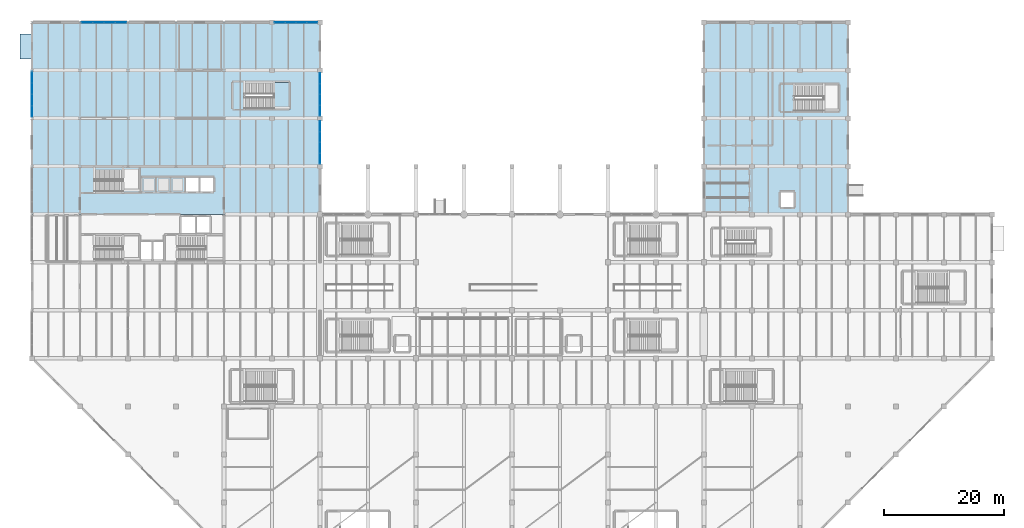
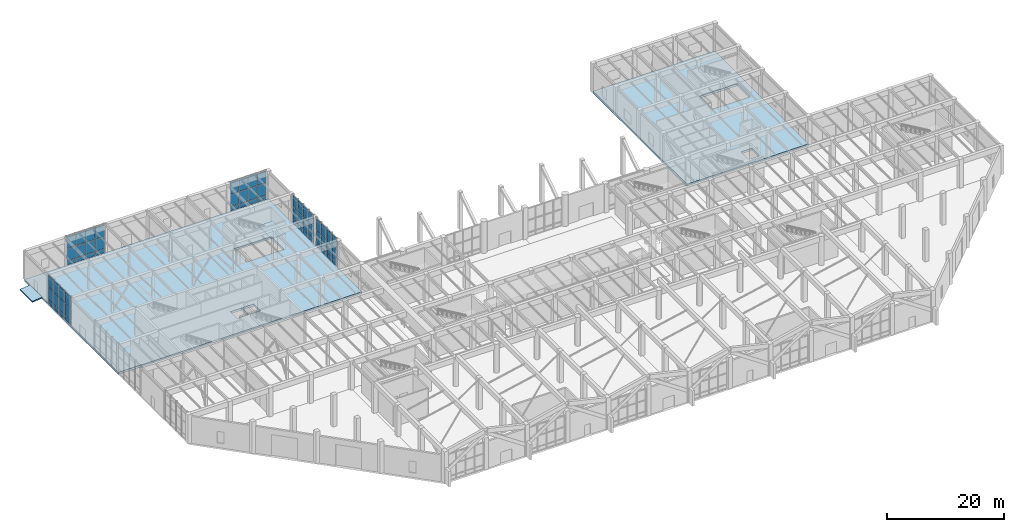
# One storey, part 29 of 51: 60 plates, 4 slabs, 6 elements without a shape of their own.
"""IFC4 building model written with IfcOpenShell, lengths in metres."""

from ifc_helpers import new_model, si_unit, direction, frame, origin, origin_2d, place, context, subcontext, project, spatial, polyline, rectangle, outline, extrude, material, layer, layer_set, type_object, element, aggregate, save


model = new_model("IFC4")

# Units and contexts
model_context = context("Model", 3, precision=1e-05, world=origin(), true_north=direction((0.0, 1.0)))
body_context = subcontext(model_context, "Body", "Model", "MODEL_VIEW")
ifc_project = project(units=[si_unit("LENGTHUNIT", "METRE"), si_unit("AREAUNIT", "SQUARE_METRE"), si_unit("VOLUMEUNIT", "CUBIC_METRE"), si_unit("PLANEANGLEUNIT", "RADIAN"), si_unit("MASSUNIT", "GRAM", prefix="KILO")], contexts=[model_context])

# Site, building, storey
site_placement = place(None, origin())
site = spatial("IfcSite", under=ifc_project, at=site_placement, CompositionType="ELEMENT")
building_placement = place(site_placement, origin())
building = spatial("IfcBuilding", under=site, at=building_placement, Name="Varnela Railside Interchange", CompositionType="ELEMENT")
storey_placement = place(building_placement, origin())
storey = spatial("IfcBuildingStorey", under=building, at=storey_placement, Name="L00", CompositionType="ELEMENT", Elevation=0.0)

# Curtain wall, plates
ifc_material_1 = material(Name="Aluminium 6063-T6", Category="aluminium")
ifc_layer_1 = layer(ifc_material_1, 0.035888671875)
ifc_layer_set_1 = layer_set([ifc_layer_1], Name="Aluminium 6063-T6")
curtain_wall_type = type_object("IfcCurtainWallType", Name="Operations Wing Facade Curtain Wall CW-03", PredefinedType="USERDEFINED", material=ifc_layer_set_1)
curtain_wall_1_placement = place(storey_placement, origin())
curtain_wall_1 = element("IfcCurtainWall", 1, at=curtain_wall_1_placement, inside=storey, type_object=curtain_wall_type, Name="Curtain Wall CW-03 (L00) (CW-001)", ObjectType="CURTAIN WALL", PredefinedType="USERDEFINED")
ifc_material_2 = material(Name="Glass laminated double", Category="glass")
ifc_layer_2 = layer(ifc_material_2, 0.0400390625)
ifc_layer_set_2 = layer_set([ifc_layer_2], Name="Glass laminated double")
plate_type = type_object("IfcPlateType", Name="Acoustic Laminated Vision GL-03", PredefinedType="CURTAIN_PANEL", material=ifc_layer_set_2)
plate_1_placement = place(storey_placement, frame((4.0, 79.16455078125, 0.06005859375), z_axis=(0.0, 0.0, 1.0), x_axis=(0.0, 1.0, 0.0)))
plate_1 = element("IfcPlate", 2, at=plate_1_placement, type_object=plate_type, Name="CW-03 panel 1.1", PredefinedType="CURTAIN_PANEL", context=body_context, shape_type="SweptSolid", body=[
    extrude(rectangle(XDim=1.810302734375, YDim=0.0400390625, at=origin_2d()), origin(), (0.0, 0.0, 1.0), 0.81005859375),
])
plate_2_placement = place(storey_placement, frame((4.0, 79.16455078125, 0.93017578125), z_axis=(0.0, 0.0, 1.0), x_axis=(0.0, 1.0, 0.0)))
plate_2 = element("IfcPlate", 3, at=plate_2_placement, type_object=plate_type, Name="CW-03 panel 1.2", PredefinedType="CURTAIN_PANEL", context=body_context, shape_type="SweptSolid", body=[
    extrude(rectangle(XDim=1.810302734375, YDim=0.0400390625, at=origin_2d()), origin(), (0.0, 0.0, 1.0), 2.531494140625),
])
plate_3_placement = place(storey_placement, frame((4.0, 79.16455078125, 3.521484375), z_axis=(0.0, 0.0, 1.0), x_axis=(0.0, 1.0, 0.0)))
plate_3 = element("IfcPlate", 4, at=plate_3_placement, type_object=plate_type, Name="CW-03 panel 1.3", PredefinedType="CURTAIN_PANEL", context=body_context, shape_type="SweptSolid", body=[
    extrude(rectangle(XDim=1.810302734375, YDim=0.0400390625, at=origin_2d()), origin(), (0.0, 0.0, 1.0), 2.4384765625),
])
plate_4_placement = place(storey_placement, frame((4.0, 81.0498046875, 0.06005859375), z_axis=(0.0, 0.0, 1.0), x_axis=(0.0, 1.0, 0.0)))
plate_4 = element("IfcPlate", 5, at=plate_4_placement, type_object=plate_type, Name="CW-03 panel 2.1", PredefinedType="CURTAIN_PANEL", context=body_context, shape_type="SweptSolid", body=[
    extrude(rectangle(XDim=1.84033203125, YDim=0.0400390625, at=origin_2d()), origin(), (0.0, 0.0, 1.0), 0.81005859375),
])
plate_5_placement = place(storey_placement, frame((4.0, 81.0498046875, 0.93017578125), z_axis=(0.0, 0.0, 1.0), x_axis=(0.0, 1.0, 0.0)))
plate_5 = element("IfcPlate", 6, at=plate_5_placement, type_object=plate_type, Name="CW-03 panel 2.2", PredefinedType="CURTAIN_PANEL", context=body_context, shape_type="SweptSolid", body=[
    extrude(rectangle(XDim=1.84033203125, YDim=0.0400390625, at=origin_2d()), origin(), (0.0, 0.0, 1.0), 2.531494140625),
])
plate_6_placement = place(storey_placement, frame((4.0, 81.0498046875, 3.521484375), z_axis=(0.0, 0.0, 1.0), x_axis=(0.0, 1.0, 0.0)))
plate_6 = element("IfcPlate", 7, at=plate_6_placement, type_object=plate_type, Name="CW-03 panel 2.3", PredefinedType="CURTAIN_PANEL", context=body_context, shape_type="SweptSolid", body=[
    extrude(rectangle(XDim=1.84033203125, YDim=0.0400390625, at=origin_2d()), origin(), (0.0, 0.0, 1.0), 2.4384765625),
])
plate_7_placement = place(storey_placement, frame((4.0, 82.9501953125, 0.06005859375), z_axis=(0.0, 0.0, 1.0), x_axis=(0.0, 1.0, 0.0)))
plate_7 = element("IfcPlate", 8, at=plate_7_placement, type_object=plate_type, Name="CW-03 panel 3.1", PredefinedType="CURTAIN_PANEL", context=body_context, shape_type="SweptSolid", body=[
    extrude(rectangle(XDim=1.84033203125, YDim=0.0400390625, at=origin_2d()), origin(), (0.0, 0.0, 1.0), 0.81005859375),
])
plate_8_placement = place(storey_placement, frame((4.0, 82.9501953125, 0.93017578125), z_axis=(0.0, 0.0, 1.0), x_axis=(0.0, 1.0, 0.0)))
plate_8 = element("IfcPlate", 9, at=plate_8_placement, type_object=plate_type, Name="CW-03 panel 3.2", PredefinedType="CURTAIN_PANEL", context=body_context, shape_type="SweptSolid", body=[
    extrude(rectangle(XDim=1.84033203125, YDim=0.0400390625, at=origin_2d()), origin(), (0.0, 0.0, 1.0), 2.531494140625),
])
plate_9_placement = place(storey_placement, frame((4.0, 82.9501953125, 3.521484375), z_axis=(0.0, 0.0, 1.0), x_axis=(0.0, 1.0, 0.0)))
plate_9 = element("IfcPlate", 10, at=plate_9_placement, type_object=plate_type, Name="CW-03 panel 3.3", PredefinedType="CURTAIN_PANEL", context=body_context, shape_type="SweptSolid", body=[
    extrude(rectangle(XDim=1.84033203125, YDim=0.0400390625, at=origin_2d()), origin(), (0.0, 0.0, 1.0), 2.4384765625),
])
plate_10_placement = place(storey_placement, frame((4.0, 84.83544921875, 0.06005859375), z_axis=(0.0, 0.0, 1.0), x_axis=(0.0, 1.0, 0.0)))
plate_10 = element("IfcPlate", 11, at=plate_10_placement, type_object=plate_type, Name="CW-03 panel 4.1", PredefinedType="CURTAIN_PANEL", context=body_context, shape_type="SweptSolid", body=[
    extrude(rectangle(XDim=1.810302734375, YDim=0.0400390625, at=origin_2d()), origin(), (0.0, 0.0, 1.0), 0.81005859375),
])
plate_11_placement = place(storey_placement, frame((4.0, 84.83544921875, 0.93017578125), z_axis=(0.0, 0.0, 1.0), x_axis=(0.0, 1.0, 0.0)))
plate_11 = element("IfcPlate", 12, at=plate_11_placement, type_object=plate_type, Name="CW-03 panel 4.2", PredefinedType="CURTAIN_PANEL", context=body_context, shape_type="SweptSolid", body=[
    extrude(rectangle(XDim=1.810302734375, YDim=0.0400390625, at=origin_2d()), origin(), (0.0, 0.0, 1.0), 2.531494140625),
])
plate_12_placement = place(storey_placement, frame((4.0, 84.83544921875, 3.521484375), z_axis=(0.0, 0.0, 1.0), x_axis=(0.0, 1.0, 0.0)))
plate_12 = element("IfcPlate", 13, at=plate_12_placement, type_object=plate_type, Name="CW-03 panel 4.3", PredefinedType="CURTAIN_PANEL", context=body_context, shape_type="SweptSolid", body=[
    extrude(rectangle(XDim=1.810302734375, YDim=0.0400390625, at=origin_2d()), origin(), (0.0, 0.0, 1.0), 2.4384765625),
])
aggregate(curtain_wall_1, [plate_1, plate_2, plate_3, plate_4, plate_5, plate_6, plate_7, plate_8, plate_9, plate_10, plate_11, plate_12])

curtain_wall_2_placement = place(storey_placement, origin())
curtain_wall_2 = element("IfcCurtainWall", 14, at=curtain_wall_2_placement, inside=storey, type_object=curtain_wall_type, Name="Curtain Wall CW-03 (L00) (CW-002)", ObjectType="CURTAIN WALL", PredefinedType="USERDEFINED")
plate_13_placement = place(storey_placement, frame((13.165283203125, 94.0, 0.06005859375), z_axis=(0.0, 0.0, 1.0), x_axis=(1.0, 0.0, 0.0)))
plate_13 = element("IfcPlate", 15, at=plate_13_placement, type_object=plate_type, Name="CW-03 panel 1.1", PredefinedType="CURTAIN_PANEL", context=body_context, shape_type="SweptSolid", body=[
    extrude(rectangle(XDim=1.809814453125, YDim=0.0400390625, at=origin_2d()), origin(), (0.0, 0.0, 1.0), 0.81005859375),
])
plate_14_placement = place(storey_placement, frame((13.165283203125, 94.0, 0.93017578125), z_axis=(0.0, 0.0, 1.0), x_axis=(1.0, 0.0, 0.0)))
plate_14 = element("IfcPlate", 16, at=plate_14_placement, type_object=plate_type, Name="CW-03 panel 1.2", PredefinedType="CURTAIN_PANEL", context=body_context, shape_type="SweptSolid", body=[
    extrude(rectangle(XDim=1.809814453125, YDim=0.0400390625, at=origin_2d()), origin(), (0.0, 0.0, 1.0), 2.531494140625),
])
plate_15_placement = place(storey_placement, frame((13.165283203125, 94.0, 3.521484375), z_axis=(0.0, 0.0, 1.0), x_axis=(1.0, 0.0, 0.0)))
plate_15 = element("IfcPlate", 17, at=plate_15_placement, type_object=plate_type, Name="CW-03 panel 1.3", PredefinedType="CURTAIN_PANEL", context=body_context, shape_type="SweptSolid", body=[
    extrude(rectangle(XDim=1.809814453125, YDim=0.0400390625, at=origin_2d()), origin(), (0.0, 0.0, 1.0), 2.4384765625),
])
plate_16_placement = place(storey_placement, frame((15.050048828125, 94.0, 0.06005859375), z_axis=(0.0, 0.0, 1.0), x_axis=(1.0, 0.0, 0.0)))
plate_16 = element("IfcPlate", 18, at=plate_16_placement, type_object=plate_type, Name="CW-03 panel 2.1", PredefinedType="CURTAIN_PANEL", context=body_context, shape_type="SweptSolid", body=[
    extrude(rectangle(XDim=1.83984375, YDim=0.0400390625, at=origin_2d()), origin(), (0.0, 0.0, 1.0), 0.81005859375),
])
plate_17_placement = place(storey_placement, frame((15.050048828125, 94.0, 0.93017578125), z_axis=(0.0, 0.0, 1.0), x_axis=(1.0, 0.0, 0.0)))
plate_17 = element("IfcPlate", 19, at=plate_17_placement, type_object=plate_type, Name="CW-03 panel 2.2", PredefinedType="CURTAIN_PANEL", context=body_context, shape_type="SweptSolid", body=[
    extrude(rectangle(XDim=1.83984375, YDim=0.0400390625, at=origin_2d()), origin(), (0.0, 0.0, 1.0), 2.531494140625),
])
plate_18_placement = place(storey_placement, frame((15.050048828125, 94.0, 3.521484375), z_axis=(0.0, 0.0, 1.0), x_axis=(1.0, 0.0, 0.0)))
plate_18 = element("IfcPlate", 20, at=plate_18_placement, type_object=plate_type, Name="CW-03 panel 2.3", PredefinedType="CURTAIN_PANEL", context=body_context, shape_type="SweptSolid", body=[
    extrude(rectangle(XDim=1.83984375, YDim=0.0400390625, at=origin_2d()), origin(), (0.0, 0.0, 1.0), 2.4384765625),
])
plate_19_placement = place(storey_placement, frame((16.949951171875, 94.0, 0.06005859375), z_axis=(0.0, 0.0, 1.0), x_axis=(1.0, 0.0, 0.0)))
plate_19 = element("IfcPlate", 21, at=plate_19_placement, type_object=plate_type, Name="CW-03 panel 3.1", PredefinedType="CURTAIN_PANEL", context=body_context, shape_type="SweptSolid", body=[
    extrude(rectangle(XDim=1.83984375, YDim=0.0400390625, at=origin_2d()), origin(), (0.0, 0.0, 1.0), 0.81005859375),
])
plate_20_placement = place(storey_placement, frame((16.949951171875, 94.0, 0.93017578125), z_axis=(0.0, 0.0, 1.0), x_axis=(1.0, 0.0, 0.0)))
plate_20 = element("IfcPlate", 22, at=plate_20_placement, type_object=plate_type, Name="CW-03 panel 3.2", PredefinedType="CURTAIN_PANEL", context=body_context, shape_type="SweptSolid", body=[
    extrude(rectangle(XDim=1.83984375, YDim=0.0400390625, at=origin_2d()), origin(), (0.0, 0.0, 1.0), 2.531494140625),
])
plate_21_placement = place(storey_placement, frame((16.949951171875, 94.0, 3.521484375), z_axis=(0.0, 0.0, 1.0), x_axis=(1.0, 0.0, 0.0)))
plate_21 = element("IfcPlate", 23, at=plate_21_placement, type_object=plate_type, Name="CW-03 panel 3.3", PredefinedType="CURTAIN_PANEL", context=body_context, shape_type="SweptSolid", body=[
    extrude(rectangle(XDim=1.83984375, YDim=0.0400390625, at=origin_2d()), origin(), (0.0, 0.0, 1.0), 2.4384765625),
])
plate_22_placement = place(storey_placement, frame((18.834716796875, 94.0, 0.06005859375), z_axis=(0.0, 0.0, 1.0), x_axis=(1.0, 0.0, 0.0)))
plate_22 = element("IfcPlate", 24, at=plate_22_placement, type_object=plate_type, Name="CW-03 panel 4.1", PredefinedType="CURTAIN_PANEL", context=body_context, shape_type="SweptSolid", body=[
    extrude(rectangle(XDim=1.809814453125, YDim=0.0400390625, at=origin_2d()), origin(), (0.0, 0.0, 1.0), 0.81005859375),
])
plate_23_placement = place(storey_placement, frame((18.834716796875, 94.0, 0.93017578125), z_axis=(0.0, 0.0, 1.0), x_axis=(1.0, 0.0, 0.0)))
plate_23 = element("IfcPlate", 25, at=plate_23_placement, type_object=plate_type, Name="CW-03 panel 4.2", PredefinedType="CURTAIN_PANEL", context=body_context, shape_type="SweptSolid", body=[
    extrude(rectangle(XDim=1.809814453125, YDim=0.0400390625, at=origin_2d()), origin(), (0.0, 0.0, 1.0), 2.531494140625),
])
plate_24_placement = place(storey_placement, frame((18.834716796875, 94.0, 3.521484375), z_axis=(0.0, 0.0, 1.0), x_axis=(1.0, 0.0, 0.0)))
plate_24 = element("IfcPlate", 26, at=plate_24_placement, type_object=plate_type, Name="CW-03 panel 4.3", PredefinedType="CURTAIN_PANEL", context=body_context, shape_type="SweptSolid", body=[
    extrude(rectangle(XDim=1.809814453125, YDim=0.0400390625, at=origin_2d()), origin(), (0.0, 0.0, 1.0), 2.4384765625),
])
aggregate(curtain_wall_2, [plate_13, plate_14, plate_15, plate_16, plate_17, plate_18, plate_19, plate_20, plate_21, plate_22, plate_23, plate_24])

curtain_wall_3_placement = place(storey_placement, origin())
curtain_wall_3 = element("IfcCurtainWall", 27, at=curtain_wall_3_placement, inside=storey, type_object=curtain_wall_type, Name="Curtain Wall CW-03 (L00) (CW-003)", ObjectType="CURTAIN WALL", PredefinedType="USERDEFINED")
plate_25_placement = place(storey_placement, frame((45.31494140625, 94.0, 0.06005859375), z_axis=(0.0, 0.0, 1.0), x_axis=(1.0, 0.0, 0.0)))
plate_25 = element("IfcPlate", 28, at=plate_25_placement, type_object=plate_type, Name="CW-03 panel 1.1", PredefinedType="CURTAIN_PANEL", context=body_context, shape_type="SweptSolid", body=[
    extrude(rectangle(XDim=1.7099609375, YDim=0.0400390625, at=origin_2d()), origin(), (0.0, 0.0, 1.0), 0.81005859375),
])
plate_26_placement = place(storey_placement, frame((45.31494140625, 94.0, 0.93017578125), z_axis=(0.0, 0.0, 1.0), x_axis=(1.0, 0.0, 0.0)))
plate_26 = element("IfcPlate", 29, at=plate_26_placement, type_object=plate_type, Name="CW-03 panel 1.2", PredefinedType="CURTAIN_PANEL", context=body_context, shape_type="SweptSolid", body=[
    extrude(rectangle(XDim=1.7099609375, YDim=0.0400390625, at=origin_2d()), origin(), (0.0, 0.0, 1.0), 2.531494140625),
])
plate_27_placement = place(storey_placement, frame((45.31494140625, 94.0, 3.521484375), z_axis=(0.0, 0.0, 1.0), x_axis=(1.0, 0.0, 0.0)))
plate_27 = element("IfcPlate", 30, at=plate_27_placement, type_object=plate_type, Name="CW-03 panel 1.3", PredefinedType="CURTAIN_PANEL", context=body_context, shape_type="SweptSolid", body=[
    extrude(rectangle(XDim=1.7099609375, YDim=0.0400390625, at=origin_2d()), origin(), (0.0, 0.0, 1.0), 2.4384765625),
])
plate_28_placement = place(storey_placement, frame((47.10009765625, 94.0, 0.06005859375), z_axis=(0.0, 0.0, 1.0), x_axis=(1.0, 0.0, 0.0)))
plate_28 = element("IfcPlate", 31, at=plate_28_placement, type_object=plate_type, Name="CW-03 panel 2.1", PredefinedType="CURTAIN_PANEL", context=body_context, shape_type="SweptSolid", body=[
    extrude(rectangle(XDim=1.739990234375, YDim=0.0400390625, at=origin_2d()), origin(), (0.0, 0.0, 1.0), 0.81005859375),
])
plate_29_placement = place(storey_placement, frame((47.10009765625, 94.0, 0.93017578125), z_axis=(0.0, 0.0, 1.0), x_axis=(1.0, 0.0, 0.0)))
plate_29 = element("IfcPlate", 32, at=plate_29_placement, type_object=plate_type, Name="CW-03 panel 2.2", PredefinedType="CURTAIN_PANEL", context=body_context, shape_type="SweptSolid", body=[
    extrude(rectangle(XDim=1.739990234375, YDim=0.0400390625, at=origin_2d()), origin(), (0.0, 0.0, 1.0), 2.531494140625),
])
plate_30_placement = place(storey_placement, frame((47.10009765625, 94.0, 3.521484375), z_axis=(0.0, 0.0, 1.0), x_axis=(1.0, 0.0, 0.0)))
plate_30 = element("IfcPlate", 33, at=plate_30_placement, type_object=plate_type, Name="CW-03 panel 2.3", PredefinedType="CURTAIN_PANEL", context=body_context, shape_type="SweptSolid", body=[
    extrude(rectangle(XDim=1.739990234375, YDim=0.0400390625, at=origin_2d()), origin(), (0.0, 0.0, 1.0), 2.4384765625),
])
plate_31_placement = place(storey_placement, frame((48.89990234375, 94.0, 0.06005859375), z_axis=(0.0, 0.0, 1.0), x_axis=(1.0, 0.0, 0.0)))
plate_31 = element("IfcPlate", 34, at=plate_31_placement, type_object=plate_type, Name="CW-03 panel 3.1", PredefinedType="CURTAIN_PANEL", context=body_context, shape_type="SweptSolid", body=[
    extrude(rectangle(XDim=1.739990234375, YDim=0.0400390625, at=origin_2d()), origin(), (0.0, 0.0, 1.0), 0.81005859375),
])
plate_32_placement = place(storey_placement, frame((48.89990234375, 94.0, 0.93017578125), z_axis=(0.0, 0.0, 1.0), x_axis=(1.0, 0.0, 0.0)))
plate_32 = element("IfcPlate", 35, at=plate_32_placement, type_object=plate_type, Name="CW-03 panel 3.2", PredefinedType="CURTAIN_PANEL", context=body_context, shape_type="SweptSolid", body=[
    extrude(rectangle(XDim=1.739990234375, YDim=0.0400390625, at=origin_2d()), origin(), (0.0, 0.0, 1.0), 2.531494140625),
])
plate_33_placement = place(storey_placement, frame((48.89990234375, 94.0, 3.521484375), z_axis=(0.0, 0.0, 1.0), x_axis=(1.0, 0.0, 0.0)))
plate_33 = element("IfcPlate", 36, at=plate_33_placement, type_object=plate_type, Name="CW-03 panel 3.3", PredefinedType="CURTAIN_PANEL", context=body_context, shape_type="SweptSolid", body=[
    extrude(rectangle(XDim=1.739990234375, YDim=0.0400390625, at=origin_2d()), origin(), (0.0, 0.0, 1.0), 2.4384765625),
])
plate_34_placement = place(storey_placement, frame((50.68505859375, 94.0, 0.06005859375), z_axis=(0.0, 0.0, 1.0), x_axis=(1.0, 0.0, 0.0)))
plate_34 = element("IfcPlate", 37, at=plate_34_placement, type_object=plate_type, Name="CW-03 panel 4.1", PredefinedType="CURTAIN_PANEL", context=body_context, shape_type="SweptSolid", body=[
    extrude(rectangle(XDim=1.7099609375, YDim=0.0400390625, at=origin_2d()), origin(), (0.0, 0.0, 1.0), 0.81005859375),
])
plate_35_placement = place(storey_placement, frame((50.68505859375, 94.0, 0.93017578125), z_axis=(0.0, 0.0, 1.0), x_axis=(1.0, 0.0, 0.0)))
plate_35 = element("IfcPlate", 38, at=plate_35_placement, type_object=plate_type, Name="CW-03 panel 4.2", PredefinedType="CURTAIN_PANEL", context=body_context, shape_type="SweptSolid", body=[
    extrude(rectangle(XDim=1.7099609375, YDim=0.0400390625, at=origin_2d()), origin(), (0.0, 0.0, 1.0), 2.531494140625),
])
plate_36_placement = place(storey_placement, frame((50.68505859375, 94.0, 3.521484375), z_axis=(0.0, 0.0, 1.0), x_axis=(1.0, 0.0, 0.0)))
plate_36 = element("IfcPlate", 39, at=plate_36_placement, type_object=plate_type, Name="CW-03 panel 4.3", PredefinedType="CURTAIN_PANEL", context=body_context, shape_type="SweptSolid", body=[
    extrude(rectangle(XDim=1.7099609375, YDim=0.0400390625, at=origin_2d()), origin(), (0.0, 0.0, 1.0), 2.4384765625),
])
aggregate(curtain_wall_3, [plate_25, plate_26, plate_27, plate_28, plate_29, plate_30, plate_31, plate_32, plate_33, plate_34, plate_35, plate_36])

curtain_wall_4_placement = place(storey_placement, origin())
curtain_wall_4 = element("IfcCurtainWall", 40, at=curtain_wall_4_placement, inside=storey, type_object=curtain_wall_type, Name="Curtain Wall CW-03 (L00) (CW-004)", ObjectType="CURTAIN WALL", PredefinedType="USERDEFINED")
plate_37_placement = place(storey_placement, frame((52.0, 84.68505859375, 0.06005859375), z_axis=(0.0, 0.0, 1.0), x_axis=(0.0, -1.0, 0.0)))
plate_37 = element("IfcPlate", 41, at=plate_37_placement, type_object=plate_type, Name="CW-03 panel 1.1", PredefinedType="CURTAIN_PANEL", context=body_context, shape_type="SweptSolid", body=[
    extrude(rectangle(XDim=1.7099609375, YDim=0.0400390625, at=origin_2d()), origin(), (0.0, 0.0, 1.0), 0.81005859375),
])
plate_38_placement = place(storey_placement, frame((52.0, 84.68505859375, 0.93017578125), z_axis=(0.0, 0.0, 1.0), x_axis=(0.0, -1.0, 0.0)))
plate_38 = element("IfcPlate", 42, at=plate_38_placement, type_object=plate_type, Name="CW-03 panel 1.2", PredefinedType="CURTAIN_PANEL", context=body_context, shape_type="SweptSolid", body=[
    extrude(rectangle(XDim=1.7099609375, YDim=0.0400390625, at=origin_2d()), origin(), (0.0, 0.0, 1.0), 2.531494140625),
])
plate_39_placement = place(storey_placement, frame((52.0, 84.68505859375, 3.521484375), z_axis=(0.0, 0.0, 1.0), x_axis=(0.0, -1.0, 0.0)))
plate_39 = element("IfcPlate", 43, at=plate_39_placement, type_object=plate_type, Name="CW-03 panel 1.3", PredefinedType="CURTAIN_PANEL", context=body_context, shape_type="SweptSolid", body=[
    extrude(rectangle(XDim=1.7099609375, YDim=0.0400390625, at=origin_2d()), origin(), (0.0, 0.0, 1.0), 2.4384765625),
])
plate_40_placement = place(storey_placement, frame((52.0, 82.89990234375, 0.06005859375), z_axis=(0.0, 0.0, 1.0), x_axis=(0.0, -1.0, 0.0)))
plate_40 = element("IfcPlate", 44, at=plate_40_placement, type_object=plate_type, Name="CW-03 panel 2.1", PredefinedType="CURTAIN_PANEL", context=body_context, shape_type="SweptSolid", body=[
    extrude(rectangle(XDim=1.739990234375, YDim=0.0400390625, at=origin_2d()), origin(), (0.0, 0.0, 1.0), 0.81005859375),
])
plate_41_placement = place(storey_placement, frame((52.0, 82.89990234375, 0.93017578125), z_axis=(0.0, 0.0, 1.0), x_axis=(0.0, -1.0, 0.0)))
plate_41 = element("IfcPlate", 45, at=plate_41_placement, type_object=plate_type, Name="CW-03 panel 2.2", PredefinedType="CURTAIN_PANEL", context=body_context, shape_type="SweptSolid", body=[
    extrude(rectangle(XDim=1.739990234375, YDim=0.0400390625, at=origin_2d()), origin(), (0.0, 0.0, 1.0), 2.531494140625),
])
plate_42_placement = place(storey_placement, frame((52.0, 82.89990234375, 3.521484375), z_axis=(0.0, 0.0, 1.0), x_axis=(0.0, -1.0, 0.0)))
plate_42 = element("IfcPlate", 46, at=plate_42_placement, type_object=plate_type, Name="CW-03 panel 2.3", PredefinedType="CURTAIN_PANEL", context=body_context, shape_type="SweptSolid", body=[
    extrude(rectangle(XDim=1.739990234375, YDim=0.0400390625, at=origin_2d()), origin(), (0.0, 0.0, 1.0), 2.4384765625),
])
plate_43_placement = place(storey_placement, frame((52.0, 81.10009765625, 0.06005859375), z_axis=(0.0, 0.0, 1.0), x_axis=(0.0, -1.0, 0.0)))
plate_43 = element("IfcPlate", 47, at=plate_43_placement, type_object=plate_type, Name="CW-03 panel 3.1", PredefinedType="CURTAIN_PANEL", context=body_context, shape_type="SweptSolid", body=[
    extrude(rectangle(XDim=1.739990234375, YDim=0.0400390625, at=origin_2d()), origin(), (0.0, 0.0, 1.0), 0.81005859375),
])
plate_44_placement = place(storey_placement, frame((52.0, 81.10009765625, 0.93017578125), z_axis=(0.0, 0.0, 1.0), x_axis=(0.0, -1.0, 0.0)))
plate_44 = element("IfcPlate", 48, at=plate_44_placement, type_object=plate_type, Name="CW-03 panel 3.2", PredefinedType="CURTAIN_PANEL", context=body_context, shape_type="SweptSolid", body=[
    extrude(rectangle(XDim=1.739990234375, YDim=0.0400390625, at=origin_2d()), origin(), (0.0, 0.0, 1.0), 2.531494140625),
])
plate_45_placement = place(storey_placement, frame((52.0, 81.10009765625, 3.521484375), z_axis=(0.0, 0.0, 1.0), x_axis=(0.0, -1.0, 0.0)))
plate_45 = element("IfcPlate", 49, at=plate_45_placement, type_object=plate_type, Name="CW-03 panel 3.3", PredefinedType="CURTAIN_PANEL", context=body_context, shape_type="SweptSolid", body=[
    extrude(rectangle(XDim=1.739990234375, YDim=0.0400390625, at=origin_2d()), origin(), (0.0, 0.0, 1.0), 2.4384765625),
])
plate_46_placement = place(storey_placement, frame((52.0, 79.31494140625, 0.06005859375), z_axis=(0.0, 0.0, 1.0), x_axis=(0.0, -1.0, 0.0)))
plate_46 = element("IfcPlate", 50, at=plate_46_placement, type_object=plate_type, Name="CW-03 panel 4.1", PredefinedType="CURTAIN_PANEL", context=body_context, shape_type="SweptSolid", body=[
    extrude(rectangle(XDim=1.7099609375, YDim=0.0400390625, at=origin_2d()), origin(), (0.0, 0.0, 1.0), 0.81005859375),
])
plate_47_placement = place(storey_placement, frame((52.0, 79.31494140625, 0.93017578125), z_axis=(0.0, 0.0, 1.0), x_axis=(0.0, -1.0, 0.0)))
plate_47 = element("IfcPlate", 51, at=plate_47_placement, type_object=plate_type, Name="CW-03 panel 4.2", PredefinedType="CURTAIN_PANEL", context=body_context, shape_type="SweptSolid", body=[
    extrude(rectangle(XDim=1.7099609375, YDim=0.0400390625, at=origin_2d()), origin(), (0.0, 0.0, 1.0), 2.531494140625),
])
plate_48_placement = place(storey_placement, frame((52.0, 79.31494140625, 3.521484375), z_axis=(0.0, 0.0, 1.0), x_axis=(0.0, -1.0, 0.0)))
plate_48 = element("IfcPlate", 52, at=plate_48_placement, type_object=plate_type, Name="CW-03 panel 4.3", PredefinedType="CURTAIN_PANEL", context=body_context, shape_type="SweptSolid", body=[
    extrude(rectangle(XDim=1.7099609375, YDim=0.0400390625, at=origin_2d()), origin(), (0.0, 0.0, 1.0), 2.4384765625),
])
aggregate(curtain_wall_4, [plate_37, plate_38, plate_39, plate_40, plate_41, plate_42, plate_43, plate_44, plate_45, plate_46, plate_47, plate_48])

curtain_wall_5_placement = place(storey_placement, origin())
curtain_wall_5 = element("IfcCurtainWall", 53, at=curtain_wall_5_placement, inside=storey, type_object=curtain_wall_type, Name="Curtain Wall CW-03 (L00) (CW-005)", ObjectType="CURTAIN WALL", PredefinedType="USERDEFINED")
plate_49_placement = place(storey_placement, frame((52.0, 76.68505859375, 0.06005859375), z_axis=(0.0, 0.0, 1.0), x_axis=(0.0, -1.0, 0.0)))
plate_49 = element("IfcPlate", 54, at=plate_49_placement, type_object=plate_type, Name="CW-03 panel 1.1", PredefinedType="CURTAIN_PANEL", context=body_context, shape_type="SweptSolid", body=[
    extrude(rectangle(XDim=1.7099609375, YDim=0.0400390625, at=origin_2d()), origin(), (0.0, 0.0, 1.0), 0.81005859375),
])
plate_50_placement = place(storey_placement, frame((52.0, 76.68505859375, 0.93017578125), z_axis=(0.0, 0.0, 1.0), x_axis=(0.0, -1.0, 0.0)))
plate_50 = element("IfcPlate", 55, at=plate_50_placement, type_object=plate_type, Name="CW-03 panel 1.2", PredefinedType="CURTAIN_PANEL", context=body_context, shape_type="SweptSolid", body=[
    extrude(rectangle(XDim=1.7099609375, YDim=0.0400390625, at=origin_2d()), origin(), (0.0, 0.0, 1.0), 2.531494140625),
])
plate_51_placement = place(storey_placement, frame((52.0, 76.68505859375, 3.521484375), z_axis=(0.0, 0.0, 1.0), x_axis=(0.0, -1.0, 0.0)))
plate_51 = element("IfcPlate", 56, at=plate_51_placement, type_object=plate_type, Name="CW-03 panel 1.3", PredefinedType="CURTAIN_PANEL", context=body_context, shape_type="SweptSolid", body=[
    extrude(rectangle(XDim=1.7099609375, YDim=0.0400390625, at=origin_2d()), origin(), (0.0, 0.0, 1.0), 2.4384765625),
])
plate_52_placement = place(storey_placement, frame((52.0, 74.89990234375, 0.06005859375), z_axis=(0.0, 0.0, 1.0), x_axis=(0.0, -1.0, 0.0)))
plate_52 = element("IfcPlate", 57, at=plate_52_placement, type_object=plate_type, Name="CW-03 panel 2.1", PredefinedType="CURTAIN_PANEL", context=body_context, shape_type="SweptSolid", body=[
    extrude(rectangle(XDim=1.739990234375, YDim=0.0400390625, at=origin_2d()), origin(), (0.0, 0.0, 1.0), 0.81005859375),
])
plate_53_placement = place(storey_placement, frame((52.0, 74.89990234375, 0.93017578125), z_axis=(0.0, 0.0, 1.0), x_axis=(0.0, -1.0, 0.0)))
plate_53 = element("IfcPlate", 58, at=plate_53_placement, type_object=plate_type, Name="CW-03 panel 2.2", PredefinedType="CURTAIN_PANEL", context=body_context, shape_type="SweptSolid", body=[
    extrude(rectangle(XDim=1.739990234375, YDim=0.0400390625, at=origin_2d()), origin(), (0.0, 0.0, 1.0), 2.531494140625),
])
plate_54_placement = place(storey_placement, frame((52.0, 74.89990234375, 3.521484375), z_axis=(0.0, 0.0, 1.0), x_axis=(0.0, -1.0, 0.0)))
plate_54 = element("IfcPlate", 59, at=plate_54_placement, type_object=plate_type, Name="CW-03 panel 2.3", PredefinedType="CURTAIN_PANEL", context=body_context, shape_type="SweptSolid", body=[
    extrude(rectangle(XDim=1.739990234375, YDim=0.0400390625, at=origin_2d()), origin(), (0.0, 0.0, 1.0), 2.4384765625),
])
plate_55_placement = place(storey_placement, frame((52.0, 73.10009765625, 0.06005859375), z_axis=(0.0, 0.0, 1.0), x_axis=(0.0, -1.0, 0.0)))
plate_55 = element("IfcPlate", 60, at=plate_55_placement, type_object=plate_type, Name="CW-03 panel 3.1", PredefinedType="CURTAIN_PANEL", context=body_context, shape_type="SweptSolid", body=[
    extrude(rectangle(XDim=1.739990234375, YDim=0.0400390625, at=origin_2d()), origin(), (0.0, 0.0, 1.0), 0.81005859375),
])
plate_56_placement = place(storey_placement, frame((52.0, 73.10009765625, 0.93017578125), z_axis=(0.0, 0.0, 1.0), x_axis=(0.0, -1.0, 0.0)))
plate_56 = element("IfcPlate", 61, at=plate_56_placement, type_object=plate_type, Name="CW-03 panel 3.2", PredefinedType="CURTAIN_PANEL", context=body_context, shape_type="SweptSolid", body=[
    extrude(rectangle(XDim=1.739990234375, YDim=0.0400390625, at=origin_2d()), origin(), (0.0, 0.0, 1.0), 2.531494140625),
])
plate_57_placement = place(storey_placement, frame((52.0, 73.10009765625, 3.521484375), z_axis=(0.0, 0.0, 1.0), x_axis=(0.0, -1.0, 0.0)))
plate_57 = element("IfcPlate", 62, at=plate_57_placement, type_object=plate_type, Name="CW-03 panel 3.3", PredefinedType="CURTAIN_PANEL", context=body_context, shape_type="SweptSolid", body=[
    extrude(rectangle(XDim=1.739990234375, YDim=0.0400390625, at=origin_2d()), origin(), (0.0, 0.0, 1.0), 2.4384765625),
])
plate_58_placement = place(storey_placement, frame((52.0, 71.31494140625, 0.06005859375), z_axis=(0.0, 0.0, 1.0), x_axis=(0.0, -1.0, 0.0)))
plate_58 = element("IfcPlate", 63, at=plate_58_placement, type_object=plate_type, Name="CW-03 panel 4.1", PredefinedType="CURTAIN_PANEL", context=body_context, shape_type="SweptSolid", body=[
    extrude(rectangle(XDim=1.7099609375, YDim=0.0400390625, at=origin_2d()), origin(), (0.0, 0.0, 1.0), 0.81005859375),
])
plate_59_placement = place(storey_placement, frame((52.0, 71.31494140625, 0.93017578125), z_axis=(0.0, 0.0, 1.0), x_axis=(0.0, -1.0, 0.0)))
plate_59 = element("IfcPlate", 64, at=plate_59_placement, type_object=plate_type, Name="CW-03 panel 4.2", PredefinedType="CURTAIN_PANEL", context=body_context, shape_type="SweptSolid", body=[
    extrude(rectangle(XDim=1.7099609375, YDim=0.0400390625, at=origin_2d()), origin(), (0.0, 0.0, 1.0), 2.531494140625),
])
plate_60_placement = place(storey_placement, frame((52.0, 71.31494140625, 3.521484375), z_axis=(0.0, 0.0, 1.0), x_axis=(0.0, -1.0, 0.0)))
plate_60 = element("IfcPlate", 65, at=plate_60_placement, type_object=plate_type, Name="CW-03 panel 4.3", PredefinedType="CURTAIN_PANEL", context=body_context, shape_type="SweptSolid", body=[
    extrude(rectangle(XDim=1.7099609375, YDim=0.0400390625, at=origin_2d()), origin(), (0.0, 0.0, 1.0), 2.4384765625),
])
aggregate(curtain_wall_5, [plate_49, plate_50, plate_51, plate_52, plate_53, plate_54, plate_55, plate_56, plate_57, plate_58, plate_59, plate_60])

# Slabs
ifc_material_3 = material(Name="Concrete C40", Category="concrete")
ifc_layer_3 = layer(ifc_material_3, 0.449951171875)
ifc_layer_set_3 = layer_set([ifc_layer_3], Name="Concrete C40")
slab_type_1 = type_object("IfcSlabType", Name="Bus & Interchange Deck Slab SL-L00", PredefinedType="FLOOR", material=ifc_layer_set_3)
slab_1_placement = place(storey_placement, frame((0.0, 0.0, -0.449951171875)))
element("IfcSlab", 66, at=slab_1_placement, inside=storey, type_object=slab_type_1, Name="Bus & Interchange Deck Slab SL-L00 (L00) (SL-0057)", PredefinedType="FLOOR", context=body_context, shape_type="SweptSolid", body=[
    extrude(outline(polyline([(116.0, 62.0), (140.0, 62.0), (140.0, 94.0), (116.0, 94.0), (116.0, 62.0)]), holes=[polyline([(131.030029296875, 79.199951171875), (138.39990234375, 79.199951171875), (138.39990234375, 83.60009765625), (131.030029296875, 83.60009765625), (131.030029296875, 79.199951171875)]), polyline([(128.800048828125, 63.199951171875), (131.0, 63.199951171875), (131.0, 65.699951171875), (128.800048828125, 65.699951171875), (128.800048828125, 63.199951171875)])]), origin(), (0.0, 0.0, 1.0), 0.449951171875),
])
slab_2_placement = place(storey_placement, frame((0.0, 0.0, -0.449951171875)))
element("IfcSlab", 67, at=slab_2_placement, inside=storey, type_object=slab_type_1, Name="Bus & Interchange Deck Slab SL-L00 (L00) (SL-0063)", PredefinedType="FLOOR", context=body_context, shape_type="SweptSolid", body=[
    extrude(outline(polyline([(4.0, 62.0), (52.0, 62.0), (52.0, 94.0), (4.0, 94.0), (4.0, 62.0)]), holes=[polyline([(39.429931640625, 79.60009765625), (46.800048828125, 79.60009765625), (46.800048828125, 84.0), (39.429931640625, 84.0), (39.429931640625, 79.60009765625)]), polyline([(29.60009765625, 65.800048828125), (31.800048828125, 65.800048828125), (31.800048828125, 68.10009765625), (29.60009765625, 68.10009765625), (29.60009765625, 65.800048828125)]), polyline([(32.0, 65.800048828125), (34.199951171875, 65.800048828125), (34.199951171875, 68.10009765625), (32.0, 68.10009765625), (32.0, 65.800048828125)])]), origin(), (0.0, 0.0, 1.0), 0.449951171875),
])

# Stair, slab
stair_type = type_object("IfcStairType", Name="Study Pavilion Stair ST-180", PredefinedType="TWO_STRAIGHT_RUN_STAIR", material=ifc_material_3)
stair_placement = place(storey_placement, origin())
stair = element("IfcStair", 68, at=stair_placement, inside=storey, type_object=stair_type, Name="Stair ST-W1 (L00) (SF-121)", PredefinedType="TWO_STRAIGHT_RUN_STAIR")
ifc_layer_4 = layer(ifc_material_3, 0.159912109375)
ifc_layer_set_4 = layer_set([ifc_layer_4], Name="Concrete C40")
slab_type_2 = type_object("IfcSlabType", Name="Stair Half-Landing Slab SL-LD", PredefinedType="LANDING", material=ifc_layer_set_4)
slab_3_placement = place(storey_placement, frame((0.0, 0.0, 2.989990234375)))
slab_3 = element("IfcSlab", 69, at=slab_3_placement, type_object=slab_type_2, Name="ST-W1 landing 1 (SL-0076)", PredefinedType="LANDING", context=body_context, shape_type="SweptSolid", body=[
    extrude(outline(polyline([(44.300048828125, 79.60009765625), (47.06005859375, 79.60009765625), (47.06005859375, 84.0), (44.300048828125, 84.0), (44.300048828125, 79.60009765625)])), origin(), (0.0, 0.0, 1.0), 0.159912109375),
])
aggregate(stair, [slab_3])

# Slab
ifc_layer_5 = layer(ifc_material_3, 0.25)
ifc_layer_set_5 = layer_set([ifc_layer_5], Name="Concrete C40")
slab_type_3 = type_object("IfcSlabType", Name="Vehicle Ramp Slab RS-01", PredefinedType="USERDEFINED", material=ifc_layer_set_5)
slab_4_placement = place(storey_placement, frame((2.0, 87.89990234375, -0.199951171875), z_axis=(-0.099479666557, 0.0, 0.995039595163), x_axis=(0.995039595163, 0.0, 0.099479666557)))
element("IfcSlab", 70, at=slab_4_placement, inside=storey, type_object=slab_type_3, Name="West Service Apron Vehicle Ramp R1 (SL-0227)", ObjectType="RAMP", PredefinedType="USERDEFINED", context=body_context, shape_type="SweptSolid", body=[
    extrude(outline(polyline([(0.0, 0.0), (2.0099702662313654, 0.0), (2.0099702662313654, 4.2001953125), (0.0, 4.2001953125), (0.0, 0.0)])), origin(), (0.0, 0.0, -1.0), 0.25),
])

save(model, "model.ifc")
